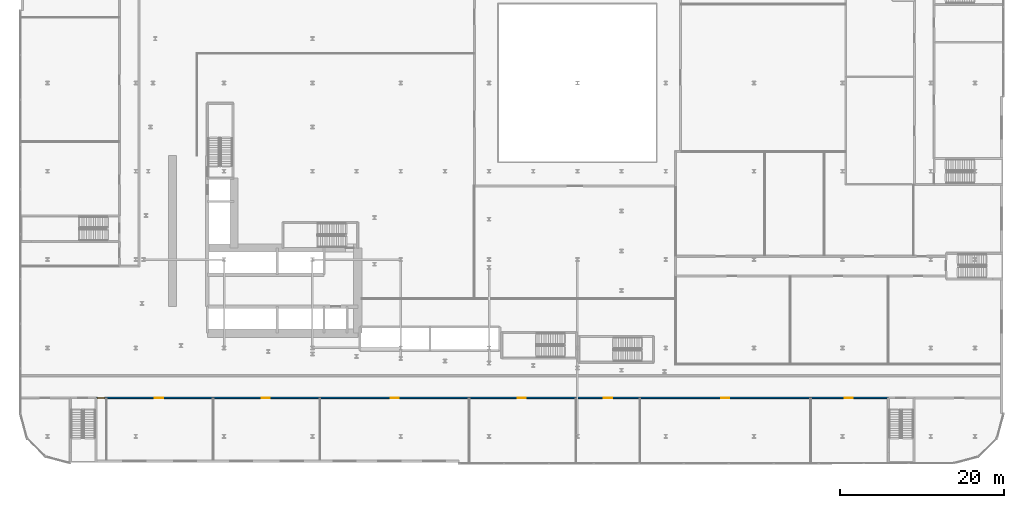
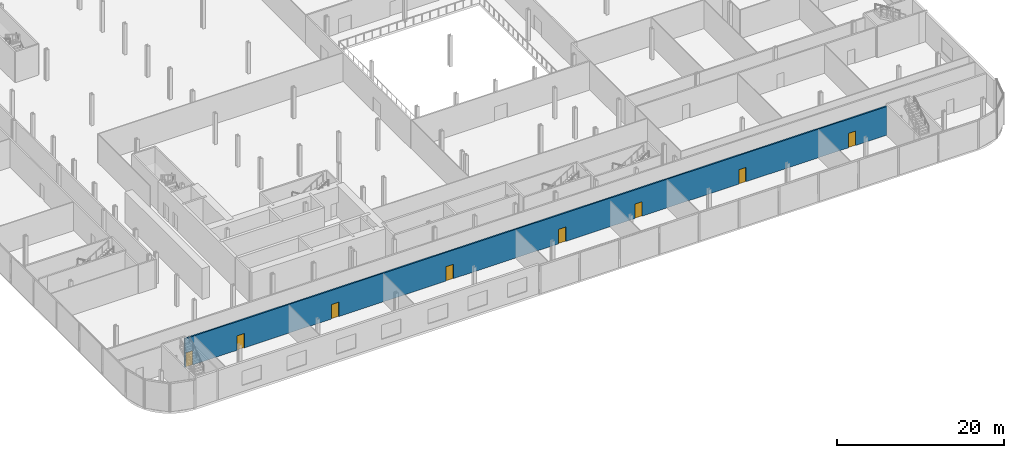
# One storey, part 27 of 47: 8 doors, 1 wall, 8 openings.
"""IFC4 building model written with IfcOpenShell, lengths in metres."""

from ifc_helpers import new_model, si_unit, direction, frame, frame_2d, origin, place, context, subcontext, project, spatial, rectangle, extrude, source, transform, mapped, material, layer, layer_set, type_object, element, fill, save


model = new_model("IFC4")

# Units and contexts
model_context = context("Model", 3, precision=1e-05, world=origin(), true_north=direction((0.0, 1.0)))
body_context = subcontext(model_context, "Body", "Model", "MODEL_VIEW")
ifc_project = project(units=[si_unit("LENGTHUNIT", "METRE"), si_unit("AREAUNIT", "SQUARE_METRE"), si_unit("VOLUMEUNIT", "CUBIC_METRE"), si_unit("PLANEANGLEUNIT", "RADIAN"), si_unit("MASSUNIT", "GRAM", prefix="KILO")], contexts=[model_context])

# Site, building, storey
site_placement = place(None, origin())
site = spatial("IfcSite", under=ifc_project, at=site_placement, CompositionType="ELEMENT")
building_placement = place(site_placement, origin())
building = spatial("IfcBuilding", under=site, at=building_placement, Name="Kheshtan School and Residences Tower", CompositionType="ELEMENT")
storey_placement = place(building_placement, frame((0.0, 0.0, 21.5)))
storey = spatial("IfcBuildingStorey", under=building, at=storey_placement, Name="L04", CompositionType="ELEMENT", Elevation=21.5)

# Wall, openings, doors
ifc_material_1 = material(Name="Gypsum board on steel studs with fire boards", Category="steel")
ifc_layer = layer(ifc_material_1, 0.199951171875)
ifc_layer_set = layer_set([ifc_layer], Name="Corridor wall 200")
wall_type = type_object("IfcWallType", Name="Corridor wall 200", PredefinedType="PARTITIONING", material=ifc_layer_set)
wall_placement = place(storey_placement, frame((21.14990234375, 17.89990234375, 0.0), z_axis=(0.0, 0.0, 1.0), x_axis=(1.0, 0.0, 0.0)))
wall = element("IfcWall", 1, at=wall_placement, inside=storey, type_object=wall_type, Name="Partition L04-008", PredefinedType="PARTITIONING", context=body_context, shape_type="SweptSolid", body=[
    extrude(rectangle(XDim=96.85009765625, YDim=0.199951171875, at=frame_2d((48.425048828125, 0.0))), origin(), (0.0, 0.0, 1.0), 4.179931640625),
])
opening_1_placement = place(wall_placement, frame((0.14990234375, 0.0, 0.0)))
opening_1 = element("IfcOpeningElement", 2, at=opening_1_placement, cuts=wall, Name="Opening D04-035", PredefinedType="OPENING", context=body_context, shape_type="SweptSolid", body=[
    extrude(rectangle(XDim=0.89990234375, YDim=2.10009765625, at=frame_2d((0.449951171875, 1.050048828125))), frame((0.0, 0.10986328125, 0.0), z_axis=(0.0, -1.0, 0.0), x_axis=(1.0, 0.0, 0.0)), (0.0, 0.0, 1.0), 0.219970703125),
])
opening_2_placement = place(wall_placement, frame((7.18505859375, 0.0, 0.0)))
opening_2 = element("IfcOpeningElement", 3, at=opening_2_placement, cuts=wall, Name="Opening D04-036", PredefinedType="OPENING", context=body_context, shape_type="SweptSolid", body=[
    extrude(rectangle(XDim=1.0, YDim=2.10009765625, at=frame_2d((0.5, 1.050048828125))), frame((0.0, 0.10986328125, 0.0), z_axis=(0.0, -1.0, 0.0), x_axis=(1.0, 0.0, 0.0)), (0.0, 0.0, 1.0), 0.219970703125),
])
opening_3_placement = place(wall_placement, frame((20.22802734375, 0.0, 0.0)))
opening_3 = element("IfcOpeningElement", 4, at=opening_3_placement, cuts=wall, Name="Opening D04-037", PredefinedType="OPENING", context=body_context, shape_type="SweptSolid", body=[
    extrude(rectangle(XDim=1.0, YDim=2.10009765625, at=frame_2d((0.5, 1.050048828125))), frame((0.0, 0.10986328125, 0.0), z_axis=(0.0, -1.0, 0.0), x_axis=(1.0, 0.0, 0.0)), (0.0, 0.0, 1.0), 0.219970703125),
])
opening_4_placement = place(wall_placement, frame((36.02197265625, 0.0, 0.0)))
opening_4 = element("IfcOpeningElement", 5, at=opening_4_placement, cuts=wall, Name="Opening D04-038", PredefinedType="OPENING", context=body_context, shape_type="SweptSolid", body=[
    extrude(rectangle(XDim=1.0, YDim=2.10009765625, at=frame_2d((0.5, 1.050048828125))), frame((0.0, 0.10986328125, 0.0), z_axis=(0.0, -1.0, 0.0), x_axis=(1.0, 0.0, 0.0)), (0.0, 0.0, 1.0), 0.219970703125),
])
opening_5_placement = place(wall_placement, frame((51.532958984375, 0.0, 0.0)))
opening_5 = element("IfcOpeningElement", 6, at=opening_5_placement, cuts=wall, Name="Opening D04-039", PredefinedType="OPENING", context=body_context, shape_type="SweptSolid", body=[
    extrude(rectangle(XDim=1.0, YDim=2.10009765625, at=frame_2d((0.5, 1.050048828125))), frame((0.0, 0.10986328125, 0.0), z_axis=(0.0, -1.0, 0.0), x_axis=(1.0, 0.0, 0.0)), (0.0, 0.0, 1.0), 0.219970703125),
])
opening_6_placement = place(wall_placement, frame((62.075927734375, 0.0, 0.0)))
opening_6 = element("IfcOpeningElement", 7, at=opening_6_placement, cuts=wall, Name="Opening D04-040", PredefinedType="OPENING", context=body_context, shape_type="SweptSolid", body=[
    extrude(rectangle(XDim=1.0, YDim=2.10009765625, at=frame_2d((0.5, 1.050048828125))), frame((0.0, 0.10986328125, 0.0), z_axis=(0.0, -1.0, 0.0), x_axis=(1.0, 0.0, 0.0)), (0.0, 0.0, 1.0), 0.219970703125),
])
opening_7_placement = place(wall_placement, frame((76.402099609375, 0.0, 0.0)))
opening_7 = element("IfcOpeningElement", 8, at=opening_7_placement, cuts=wall, Name="Opening D04-041", PredefinedType="OPENING", context=body_context, shape_type="SweptSolid", body=[
    extrude(rectangle(XDim=1.0, YDim=2.10009765625, at=frame_2d((0.5, 1.050048828125))), frame((0.0, 0.10986328125, 0.0), z_axis=(0.0, -1.0, 0.0), x_axis=(1.0, 0.0, 0.0)), (0.0, 0.0, 1.0), 0.219970703125),
])
opening_8_placement = place(wall_placement, frame((91.52197265625, 0.0, 0.0)))
opening_8 = element("IfcOpeningElement", 9, at=opening_8_placement, cuts=wall, Name="Opening D04-042", PredefinedType="OPENING", context=body_context, shape_type="SweptSolid", body=[
    extrude(rectangle(XDim=1.0, YDim=2.10009765625, at=frame_2d((0.5, 1.050048828125))), frame((0.0, 0.10986328125, 0.0), z_axis=(0.0, -1.0, 0.0), x_axis=(1.0, 0.0, 0.0)), (0.0, 0.0, 1.0), 0.219970703125),
])
ifc_material_2 = material(Name="Steel-framed fire-resisting door leaf", Category="steel")
door_type_1 = type_object("IfcDoorType", Name="Fire door FD60 1000 x 2100", OperationType="SINGLE_SWING_LEFT", PredefinedType="DOOR", material=ifc_material_2)
shared_shape_1 = source(origin(), body_context, "Body", "SweptSolid", [
    extrude(rectangle(XDim=1.0, YDim=2.10009765625, at=frame_2d((0.5, 1.050048828125))), frame((0.0, 0.02490234375, 0.0), z_axis=(0.0, -1.0, 0.0), x_axis=(1.0, 0.0, 0.0)), (0.0, 0.0, 1.0), 0.050048828125),
])
door_1_placement = place(opening_2_placement, origin())
door_1 = element("IfcDoor", 10, at=door_1_placement, inside=storey, type_object=door_type_1, Name="Door D04-036", OperationType="SINGLE_SWING_LEFT", OverallHeight=2.10009765625, OverallWidth=1.0, PredefinedType="DOOR", context=body_context, shape_type="MappedRepresentation", body=[
    mapped(shared_shape_1, transform((0.0, 0.0, 0.0), x_axis=(1.0, 0.0, 0.0), y_axis=(0.0, 1.0, 0.0), z_axis=(0.0, 0.0, 1.0), scale=1.0)),
])
fill(opening_2, door_1)
door_2_placement = place(opening_3_placement, origin())
door_2 = element("IfcDoor", 11, at=door_2_placement, inside=storey, type_object=door_type_1, Name="Door D04-037", OperationType="SINGLE_SWING_LEFT", OverallHeight=2.10009765625, OverallWidth=1.0, PredefinedType="DOOR", context=body_context, shape_type="MappedRepresentation", body=[
    mapped(shared_shape_1, transform((0.0, 0.0, 0.0), x_axis=(1.0, 0.0, 0.0), y_axis=(0.0, 1.0, 0.0), z_axis=(0.0, 0.0, 1.0), scale=1.0)),
])
fill(opening_3, door_2)
door_3_placement = place(opening_4_placement, origin())
door_3 = element("IfcDoor", 12, at=door_3_placement, inside=storey, type_object=door_type_1, Name="Door D04-038", OperationType="SINGLE_SWING_LEFT", OverallHeight=2.10009765625, OverallWidth=1.0, PredefinedType="DOOR", context=body_context, shape_type="MappedRepresentation", body=[
    mapped(shared_shape_1, transform((0.0, 0.0, 0.0), x_axis=(1.0, 0.0, 0.0), y_axis=(0.0, 1.0, 0.0), z_axis=(0.0, 0.0, 1.0), scale=1.0)),
])
fill(opening_4, door_3)
door_4_placement = place(opening_5_placement, origin())
door_4 = element("IfcDoor", 13, at=door_4_placement, inside=storey, type_object=door_type_1, Name="Door D04-039", OperationType="SINGLE_SWING_RIGHT", OverallHeight=2.10009765625, OverallWidth=1.0, PredefinedType="DOOR", context=body_context, shape_type="MappedRepresentation", body=[
    mapped(shared_shape_1, transform((0.0, 0.0, 0.0), x_axis=(1.0, 0.0, 0.0), y_axis=(0.0, 1.0, 0.0), z_axis=(0.0, 0.0, 1.0), scale=1.0)),
])
fill(opening_5, door_4)
door_5_placement = place(opening_6_placement, origin())
door_5 = element("IfcDoor", 14, at=door_5_placement, inside=storey, type_object=door_type_1, Name="Door D04-040", OperationType="SINGLE_SWING_RIGHT", OverallHeight=2.10009765625, OverallWidth=1.0, PredefinedType="DOOR", context=body_context, shape_type="MappedRepresentation", body=[
    mapped(shared_shape_1, transform((0.0, 0.0, 0.0), x_axis=(1.0, 0.0, 0.0), y_axis=(0.0, 1.0, 0.0), z_axis=(0.0, 0.0, 1.0), scale=1.0)),
])
fill(opening_6, door_5)
door_6_placement = place(opening_7_placement, origin())
door_6 = element("IfcDoor", 15, at=door_6_placement, inside=storey, type_object=door_type_1, Name="Door D04-041", OperationType="SINGLE_SWING_LEFT", OverallHeight=2.10009765625, OverallWidth=1.0, PredefinedType="DOOR", context=body_context, shape_type="MappedRepresentation", body=[
    mapped(shared_shape_1, transform((0.0, 0.0, 0.0), x_axis=(1.0, 0.0, 0.0), y_axis=(0.0, 1.0, 0.0), z_axis=(0.0, 0.0, 1.0), scale=1.0)),
])
fill(opening_7, door_6)
door_7_placement = place(opening_8_placement, origin())
door_7 = element("IfcDoor", 16, at=door_7_placement, inside=storey, type_object=door_type_1, Name="Door D04-042", OperationType="SINGLE_SWING_RIGHT", OverallHeight=2.10009765625, OverallWidth=1.0, PredefinedType="DOOR", context=body_context, shape_type="MappedRepresentation", body=[
    mapped(shared_shape_1, transform((0.0, 0.0, 0.0), x_axis=(1.0, 0.0, 0.0), y_axis=(0.0, 1.0, 0.0), z_axis=(0.0, 0.0, 1.0), scale=1.0)),
])
fill(opening_8, door_7)
door_type_2 = type_object("IfcDoorType", Name="Fire door FD60 900 x 2100", OperationType="SINGLE_SWING_LEFT", PredefinedType="DOOR", material=ifc_material_2)
shared_shape_2 = source(origin(), body_context, "Body", "SweptSolid", [
    extrude(rectangle(XDim=0.89990234375, YDim=2.10009765625, at=frame_2d((0.449951171875, 1.050048828125))), frame((0.0, 0.02490234375, 0.0), z_axis=(0.0, -1.0, 0.0), x_axis=(1.0, 0.0, 0.0)), (0.0, 0.0, 1.0), 0.050048828125),
])
door_8_placement = place(opening_1_placement, origin())
door_8 = element("IfcDoor", 17, at=door_8_placement, inside=storey, type_object=door_type_2, Name="Door D04-035", OperationType="SINGLE_SWING_RIGHT", OverallHeight=2.10009765625, OverallWidth=0.89990234375, PredefinedType="DOOR", context=body_context, shape_type="MappedRepresentation", body=[
    mapped(shared_shape_2, transform((0.0, 0.0, 0.0), x_axis=(1.0, 0.0, 0.0), y_axis=(0.0, 1.0, 0.0), z_axis=(0.0, 0.0, 1.0), scale=1.0)),
])
fill(opening_1, door_8)

save(model, "model.ifc")
